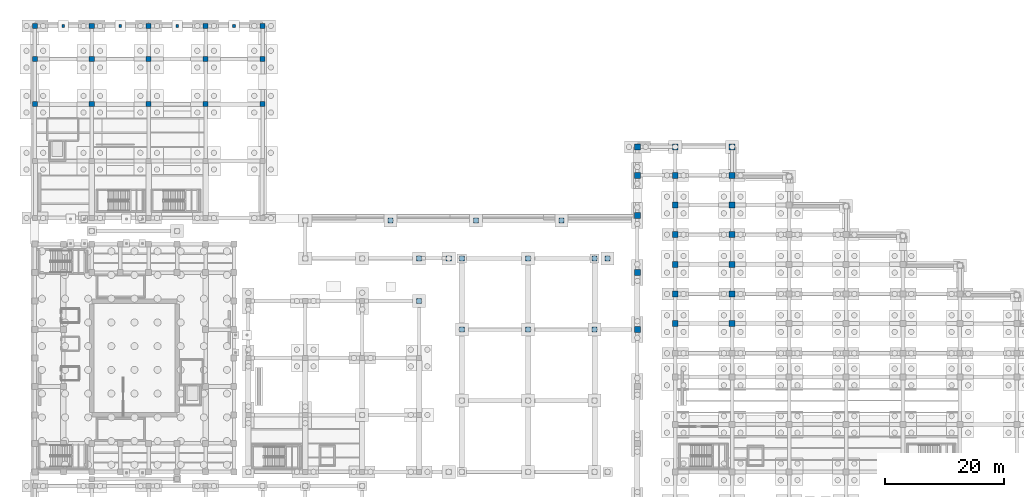
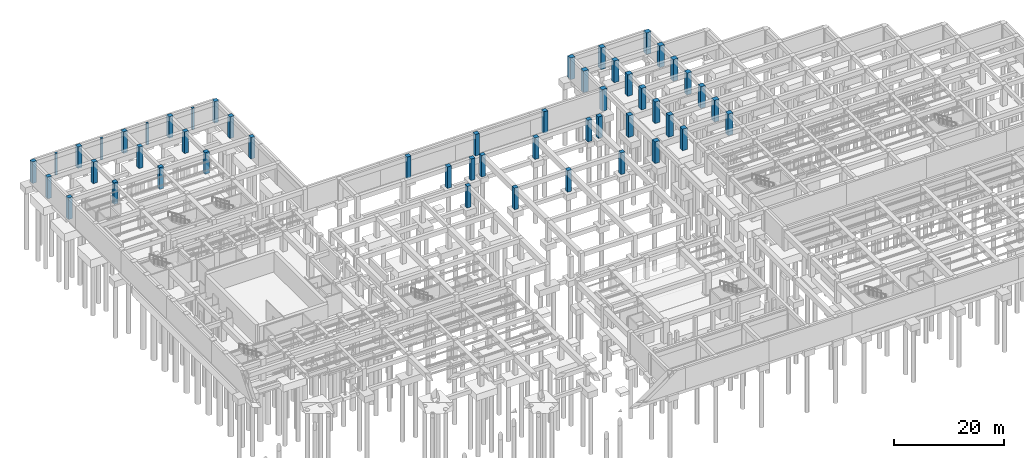
# One storey, part 20 of 56: 51 columns.
"""IFC4 building model written with IfcOpenShell, lengths in metres."""

from ifc_helpers import new_model, si_unit, direction, frame, origin, origin_2d, place, context, subcontext, project, spatial, rectangle, extrude, material, material_profile, profile_set, type_object, element, save


model = new_model("IFC4")

# Units and contexts
model_context = context("Model", 3, precision=1e-05, world=origin(), true_north=direction((0.0, 1.0)))
body_context = subcontext(model_context, "Body", "Model", "MODEL_VIEW")
ifc_project = project(units=[si_unit("LENGTHUNIT", "METRE"), si_unit("AREAUNIT", "SQUARE_METRE"), si_unit("VOLUMEUNIT", "CUBIC_METRE"), si_unit("PLANEANGLEUNIT", "RADIAN"), si_unit("MASSUNIT", "GRAM", prefix="KILO")], contexts=[model_context])

# Site, building, storey
site_placement = place(None, origin())
site = spatial("IfcSite", under=ifc_project, at=site_placement, CompositionType="ELEMENT")
building_placement = place(site_placement, origin())
building = spatial("IfcBuilding", under=site, at=building_placement, Name="Mavantir Sound Aquarium", CompositionType="ELEMENT")
storey_placement = place(building_placement, frame((0.0, 0.0, -9.60009765625)))
storey = spatial("IfcBuildingStorey", under=building, at=storey_placement, Name="B2", CompositionType="ELEMENT", Elevation=-9.60009765625)

# Columns
ifc_material = material(Name="Concrete C40/50", Category="concrete")
ifc_material_profile_1 = material_profile(ifc_material, rectangle(XDim=1.0, YDim=1.0, at=origin_2d()), Name="RC 1000X1000")
ifc_profile_set_1 = profile_set([ifc_material_profile_1], Name="Concrete C40/50")
column_type_1 = type_object("IfcColumnType", Name="COL-RC1000-I", PredefinedType="COLUMN", material=ifc_profile_set_1)
for number, where, z_axis, x_axis, name in (
    (1, (101.60009765625, 64.800048828125, 0.0), (0.0, 0.0, 1.0), (1.0, 0.0, 0.0), "B2 column RC-C10 (V4)"),
    (2, (101.60009765625, 74.39990234375, 0.0), (0.0, 0.0, 1.0), (1.0, 0.0, 0.0), "B2 column RC-C10 (V4)"),
    (3, (101.60009765625, 84.0, 0.0), (0.0, 0.0, 1.0), (1.0, 0.0, 0.0), "B2 column RC-C10 (V4)"),
    (4, (101.60009765625, 90.800048828125, 0.0), (0.0, 0.0, 1.0), (1.0, 0.0, 0.0), "B2 column RC-C10 (V4)"),
    (5, (101.60009765625, 95.60009765625, 0.0), (0.0, 0.0, 1.0), (1.0, 0.0, 0.0), "B2 column RC-C10 (V4)"),
    (6, (108.0, 65.800048828125, 0.0), (0.0, 0.0, 1.0), (1.0, 0.0, 0.0), "B2 column RC-C10 (V4)"),
    (7, (108.0, 70.800048828125, 0.0), (0.0, 0.0, 1.0), (1.0, 0.0, 0.0), "B2 column RC-C10 (V4)"),
    (8, (108.0, 75.800048828125, 0.0), (0.0, 0.0, 1.0), (1.0, 0.0, 0.0), "B2 column RC-C10 (V4)"),
    (9, (108.0, 80.800048828125, 0.0), (0.0, 0.0, 1.0), (1.0, 0.0, 0.0), "B2 column RC-C10 (V4)"),
    (10, (108.0, 85.800048828125, 0.0), (0.0, 0.0, 1.0), (1.0, 0.0, 0.0), "B2 column RC-C10 (V4)"),
    (11, (108.0, 90.800048828125, 0.0), (0.0, 0.0, 1.0), (1.0, 0.0, 0.0), "B2 column RC-C10 (V4)"),
    (12, (108.0, 95.60009765625, 0.0), (0.0, 0.0, 1.0), (1.0, 0.0, 0.0), "B2 column RC-C10 (V4)"),
    (13, (117.60009765625, 65.800048828125, 0.0), (0.0, 0.0, 1.0), (1.0, 0.0, 0.0), "B2 column RC-C10 (V4)"),
    (14, (117.60009765625, 70.800048828125, 0.0), (0.0, 0.0, 1.0), (1.0, 0.0, 0.0), "B2 column RC-C10 (V4)"),
    (15, (117.60009765625, 75.800048828125, 0.0), (0.0, 0.0, 1.0), (1.0, 0.0, 0.0), "B2 column RC-C10 (V4)"),
    (16, (117.60009765625, 80.800048828125, 0.0), (0.0, 0.0, 1.0), (1.0, 0.0, 0.0), "B2 column RC-C10 (V4)"),
    (17, (117.60009765625, 85.800048828125, 0.0), (0.0, 0.0, 1.0), (1.0, 0.0, 0.0), "B2 column RC-C10 (V4)"),
    (18, (117.60009765625, 90.800048828125, 0.0), (0.0, 0.0, 1.0), (1.0, 0.0, 0.0), "B2 column RC-C10 (V4)"),
    (19, (117.60009765625, 95.60009765625, 0.0), (0.0, 0.0, 1.0), (1.0, 0.0, 0.0), "B2 column RC-C10 (V4)"),
):
    element("IfcColumn", number, at=place(storey_placement, frame(where, z_axis=z_axis, x_axis=x_axis)), inside=storey, type_object=column_type_1, Name=name, PredefinedType="COLUMN", context=body_context, shape_type="SweptSolid", body=[
        extrude(rectangle(XDim=1.0, YDim=1.0, at=origin_2d()), origin(), (0.0, 0.0, 1.0), 4.800048828125),
    ])
ifc_material_profile_2 = material_profile(ifc_material, rectangle(XDim=0.449951171875, YDim=0.449951171875, at=origin_2d()), Name="RC 450X450")
ifc_profile_set_2 = profile_set([ifc_material_profile_2], Name="Concrete C40/50")
column_type_2 = type_object("IfcColumnType", Name="COL-RC450-E", PredefinedType="PILASTER", material=ifc_profile_set_2)
for number, where, z_axis, x_axis, name in (
    (20, (4.800048828125, 116.0, 0.0), (0.0, 0.0, 1.0), (1.0, 0.0, 0.0), "Postmodern facade pilaster B2.5"),
    (21, (14.39990234375, 116.0, 0.0), (0.0, 0.0, 1.0), (1.0, 0.0, 0.0), "Postmodern facade pilaster B2.6"),
    (22, (24.0, 116.0, 0.0), (0.0, 0.0, 1.0), (1.0, 0.0, 0.0), "Postmodern facade pilaster B2.7"),
    (23, (33.60009765625, 116.0, 0.0), (0.0, 0.0, 1.0), (1.0, 0.0, 0.0), "Postmodern facade pilaster B2.8"),
):
    element("IfcColumn", number, at=place(storey_placement, frame(where, z_axis=z_axis, x_axis=x_axis)), inside=storey, type_object=column_type_2, Name=name, PredefinedType="PILASTER", context=body_context, shape_type="SweptSolid", body=[
        extrude(rectangle(XDim=0.449951171875, YDim=0.449951171875, at=origin_2d()), origin(), (0.0, 0.0, 1.0), 4.800048828125),
    ])
ifc_material_profile_3 = material_profile(ifc_material, rectangle(XDim=0.85009765625, YDim=0.85009765625, at=origin_2d()), Name="RC 850X850")
ifc_profile_set_3 = profile_set([ifc_material_profile_3], Name="Concrete C40/50")
column_type_3 = type_object("IfcColumnType", Name="COL-RC850-E", PredefinedType="COLUMN", material=ifc_profile_set_3)
for number, where, z_axis, x_axis, name in (
    (24, (0.0, 102.800048828125, 0.0), (0.0, 0.0, 1.0), (1.0, 0.0, 0.0), "B2 column RC-C85 (V5)"),
    (25, (0.0, 110.39990234375, 0.0), (0.0, 0.0, 1.0), (1.0, 0.0, 0.0), "B2 column RC-C85 (V5)"),
    (26, (0.0, 116.0, 0.0), (0.0, 0.0, 1.0), (1.0, 0.0, 0.0), "B2 column RC-C85 (V5)"),
    (27, (9.60009765625, 116.0, 0.0), (0.0, 0.0, 1.0), (1.0, 0.0, 0.0), "B2 column RC-C85 (V5)"),
    (28, (19.199951171875, 116.0, 0.0), (0.0, 0.0, 1.0), (1.0, 0.0, 0.0), "B2 column RC-C85 (V5)"),
    (29, (28.800048828125, 116.0, 0.0), (0.0, 0.0, 1.0), (1.0, 0.0, 0.0), "B2 column RC-C85 (V5)"),
    (30, (38.39990234375, 116.0, 0.0), (0.0, 0.0, 1.0), (1.0, 0.0, 0.0), "B2 column RC-C85 (V5)"),
):
    element("IfcColumn", number, at=place(storey_placement, frame(where, z_axis=z_axis, x_axis=x_axis)), inside=storey, type_object=column_type_3, Name=name, PredefinedType="COLUMN", context=body_context, shape_type="SweptSolid", body=[
        extrude(rectangle(XDim=0.85009765625, YDim=0.85009765625, at=origin_2d()), origin(), (0.0, 0.0, 1.0), 4.800048828125),
    ])
ifc_material_profile_4 = material_profile(ifc_material, rectangle(XDim=0.85009765625, YDim=0.85009765625, at=origin_2d()), Name="RC 850X850")
ifc_profile_set_4 = profile_set([ifc_material_profile_4], Name="Concrete C40/50")
column_type_4 = type_object("IfcColumnType", Name="COL-RC850-I", PredefinedType="COLUMN", material=ifc_profile_set_4)
for number, where, z_axis, x_axis, name in (
    (31, (64.800048828125, 69.60009765625, 0.0), (0.0, 0.0, 1.0), (1.0, 0.0, 0.0), "B2 column RC-C85 (V2)"),
    (32, (9.60009765625, 102.800048828125, 0.0), (0.0, 0.0, 1.0), (1.0, 0.0, 0.0), "B2 column RC-C85 (V5)"),
    (33, (9.60009765625, 110.39990234375, 0.0), (0.0, 0.0, 1.0), (1.0, 0.0, 0.0), "B2 column RC-C85 (V5)"),
    (34, (19.199951171875, 102.800048828125, 0.0), (0.0, 0.0, 1.0), (1.0, 0.0, 0.0), "B2 column RC-C85 (V5)"),
    (35, (19.199951171875, 110.39990234375, 0.0), (0.0, 0.0, 1.0), (1.0, 0.0, 0.0), "B2 column RC-C85 (V5)"),
    (36, (28.800048828125, 102.800048828125, 0.0), (0.0, 0.0, 1.0), (1.0, 0.0, 0.0), "B2 column RC-C85 (V5)"),
    (37, (28.800048828125, 110.39990234375, 0.0), (0.0, 0.0, 1.0), (1.0, 0.0, 0.0), "B2 column RC-C85 (V5)"),
    (38, (38.39990234375, 102.800048828125, 0.0), (0.0, 0.0, 1.0), (1.0, 0.0, 0.0), "B2 column RC-C85 (V5)"),
    (39, (38.39990234375, 110.39990234375, 0.0), (0.0, 0.0, 1.0), (1.0, 0.0, 0.0), "B2 column RC-C85 (V5)"),
    (40, (69.800048828125, 76.800048828125, 0.0), (0.0, 0.0, 1.0), (1.0, 0.0, 0.0), "B2 column RC-C85 (COURT)"),
    (41, (96.60009765625, 76.800048828125, 0.0), (0.0, 0.0, 1.0), (1.0, 0.0, 0.0), "B2 column RC-C85 (COURT)"),
    (42, (72.0, 64.800048828125, 0.0), (0.0, 0.0, 1.0), (1.0, 0.0, 0.0), "B2 column RC-C85 (COURT)"),
    (43, (83.199951171875, 64.800048828125, 0.0), (0.0, 0.0, 1.0), (1.0, 0.0, 0.0), "B2 column RC-C85 (COURT)"),
    (44, (94.39990234375, 64.800048828125, 0.0), (0.0, 0.0, 1.0), (1.0, 0.0, 0.0), "B2 column RC-C85 (COURT)"),
    (45, (72.0, 76.800048828125, 0.0), (0.0, 0.0, 1.0), (1.0, 0.0, 0.0), "B2 column RC-C85 (COURT)"),
    (46, (83.199951171875, 76.800048828125, 0.0), (0.0, 0.0, 1.0), (1.0, 0.0, 0.0), "B2 column RC-C85 (COURT)"),
    (47, (94.39990234375, 76.800048828125, 0.0), (0.0, 0.0, 1.0), (1.0, 0.0, 0.0), "B2 column RC-C85 (COURT)"),
    (48, (64.800048828125, 76.800048828125, 0.0), (0.0, 0.0, 1.0), (1.0, 0.0, 0.0), "B2 column RC-C85 (COURT)"),
    (49, (60.0, 83.199951171875, 0.0), (0.0, 0.0, 1.0), (1.0, 0.0, 0.0), "B2 column RC-C85 (COURT)"),
    (50, (74.39990234375, 83.199951171875, 0.0), (0.0, 0.0, 1.0), (1.0, 0.0, 0.0), "B2 column RC-C85 (COURT)"),
    (51, (88.800048828125, 83.199951171875, 0.0), (0.0, 0.0, 1.0), (1.0, 0.0, 0.0), "B2 column RC-C85 (COURT)"),
):
    element("IfcColumn", number, at=place(storey_placement, frame(where, z_axis=z_axis, x_axis=x_axis)), inside=storey, type_object=column_type_4, Name=name, PredefinedType="COLUMN", context=body_context, shape_type="SweptSolid", body=[
        extrude(rectangle(XDim=0.85009765625, YDim=0.85009765625, at=origin_2d()), origin(), (0.0, 0.0, 1.0), 4.800048828125),
    ])

save(model, "model.ifc")
